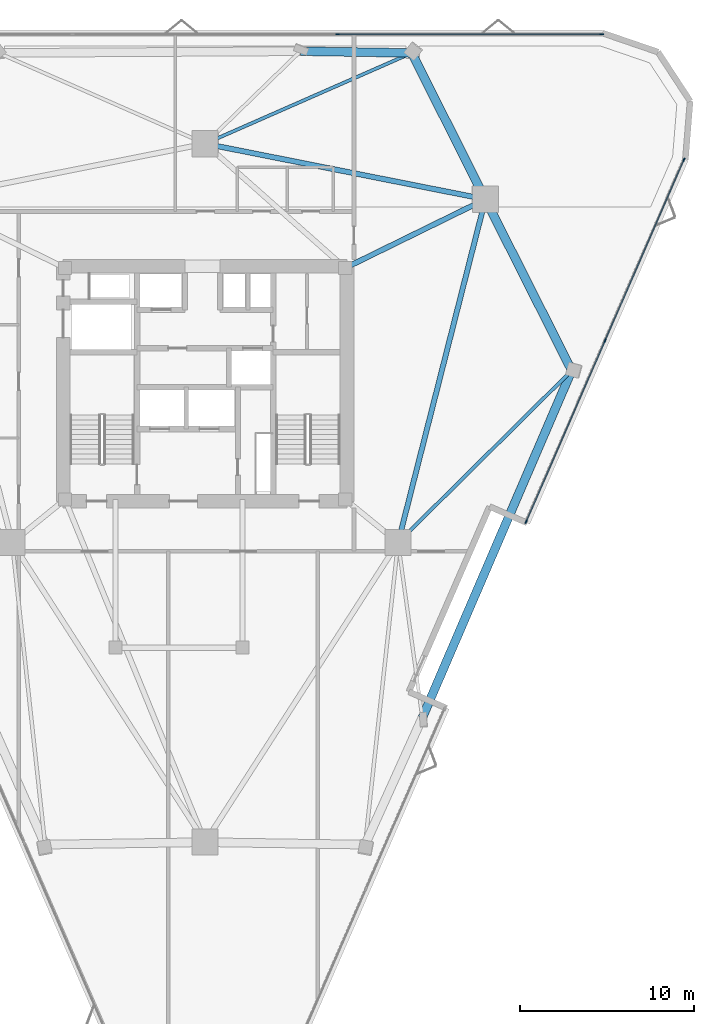
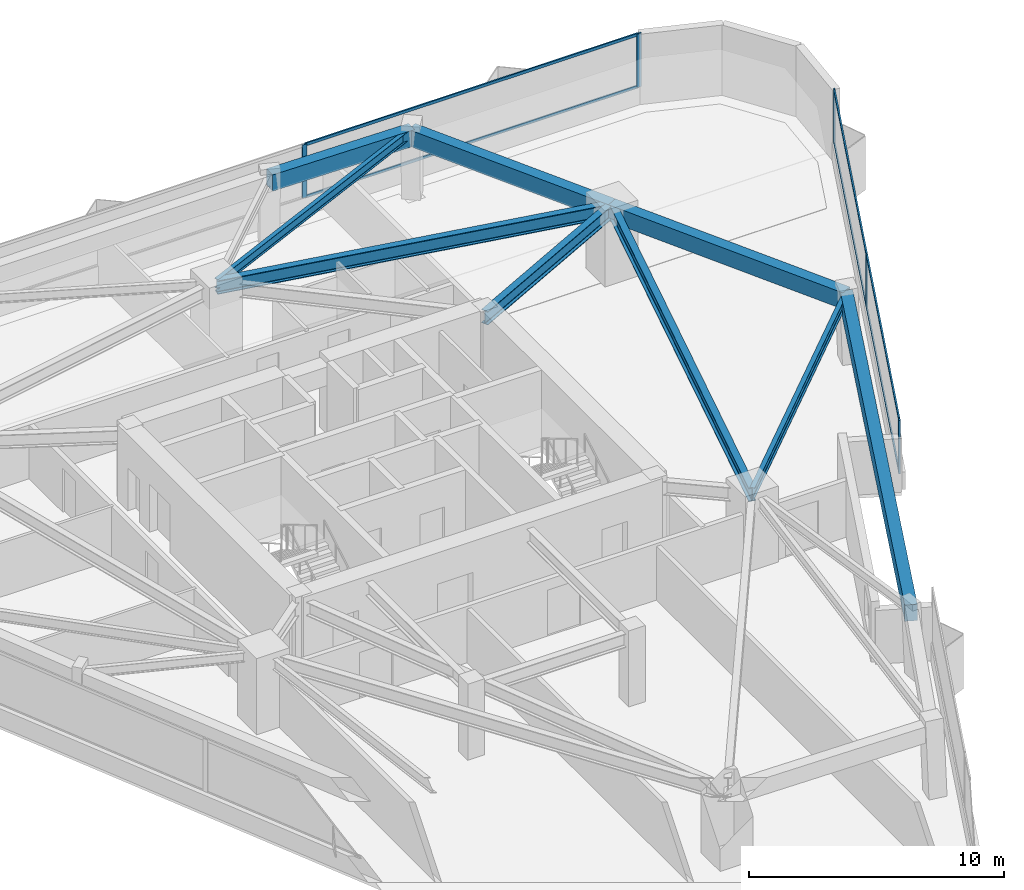
# One storey, part 6 of 12: 11 members, 9 beams, 2 elements without a shape of their own.
"""IFC4 building model written with IfcOpenShell, lengths in metres."""

from ifc_helpers import new_model, si_unit, direction, frame, origin, origin_2d, place, context, subcontext, project, spatial, rectangle, i_section, extrude, material, layer, layer_set, material_profile, profile_set, type_object, element, aggregate, save


model = new_model("IFC4")

# Units and contexts
model_context = context("Model", 3, precision=1e-05, world=origin(), true_north=direction((0.0, 1.0)))
body_context = subcontext(model_context, "Body", "Model", "MODEL_VIEW")
ifc_project = project(units=[si_unit("LENGTHUNIT", "METRE"), si_unit("AREAUNIT", "SQUARE_METRE"), si_unit("VOLUMEUNIT", "CUBIC_METRE"), si_unit("PLANEANGLEUNIT", "RADIAN"), si_unit("MASSUNIT", "GRAM", prefix="KILO")], contexts=[model_context])

# Site, building, storey
site_placement = place(None, origin())
site = spatial("IfcSite", under=ifc_project, at=site_placement, CompositionType="ELEMENT")
building_placement = place(site_placement, origin())
building = spatial("IfcBuilding", under=site, at=building_placement, Name="Talyreon Biosciences Tower", CompositionType="ELEMENT")
storey_placement = place(building_placement, frame((0.0, 0.0, 156.39990234375)))
storey = spatial("IfcBuildingStorey", under=building, at=storey_placement, Name="L41", CompositionType="ELEMENT", Elevation=156.39990234375)

# Curtain wall, members
ifc_material_1 = material(Name="Thermally broken aluminium and low-E glazing", Category="aluminium")
ifc_layer = layer(ifc_material_1, 0.205078125)
ifc_layer_set = layer_set([ifc_layer], Name="Thermally broken aluminium and low-E glazing")
curtain_wall_type = type_object("IfcCurtainWallType", Name="CurtainWall_SkyGardenLoggia", PredefinedType="NOTDEFINED", material=ifc_layer_set)
curtain_wall_1_placement = place(storey_placement, origin())
curtain_wall_1 = element("IfcCurtainWall", 1, at=curtain_wall_1_placement, inside=storey, type_object=curtain_wall_type, Name="L41 Unitised Curtain Wall FCW-L41-03", PredefinedType="NOTDEFINED")
ifc_material_2 = material(Name="Anodised thermally broken aluminium", Category="aluminium")
ifc_material_profile_1 = material_profile(ifc_material_2, rectangle(XDim=0.074951171875, YDim=0.2099609375, at=origin_2d()), Name="ALUM MULLION 75x210")
ifc_profile_set_1 = profile_set([ifc_material_profile_1], Name="Anodised thermally broken aluminium")
member_type_1 = type_object("IfcMemberType", Name="CWMullion_75x210", PredefinedType="MULLION", material=ifc_profile_set_1)
member_1_placement = place(storey_placement, frame((73.60888671875, 88.072509765625, 0.81005859375), z_axis=(0.0, 0.0, 1.0), x_axis=(0.0, 1.0, 0.0)))
member_1 = element("IfcMember", 2, at=member_1_placement, type_object=member_type_1, Name="CW7 mullion 3", PredefinedType="MULLION", context=body_context, shape_type="SweptSolid", body=[
    extrude(rectangle(XDim=0.074951171875, YDim=0.2099609375, at=origin_2d()), origin(), (0.0, 0.0, 1.0), 2.56494140625),
])
member_2_placement = place(storey_placement, frame((88.789306640625, 88.072509765625, 0.81005859375), z_axis=(0.0, 0.0, 1.0), x_axis=(0.0, 1.0, 0.0)))
member_2 = element("IfcMember", 3, at=member_2_placement, type_object=member_type_1, Name="CW7 mullion 4", PredefinedType="MULLION", context=body_context, shape_type="SweptSolid", body=[
    extrude(rectangle(XDim=0.074951171875, YDim=0.2099609375, at=origin_2d()), origin(), (0.0, 0.0, 1.0), 2.56494140625),
])

curtain_wall_2_placement = place(storey_placement, origin())
curtain_wall_2 = element("IfcCurtainWall", 4, at=curtain_wall_2_placement, inside=storey, type_object=curtain_wall_type, Name="L41 Unitised Curtain Wall FCW-L41-07", PredefinedType="NOTDEFINED")
member_3_placement = place(storey_placement, frame((93.505615234375, 80.872802734375, 0.81005859375), z_axis=(0.0, 0.0, 1.0), x_axis=(0.916731147688, -0.399504696917, 0.0)))
member_3 = element("IfcMember", 5, at=member_3_placement, type_object=member_type_1, Name="CW7 mullion 1", PredefinedType="MULLION", context=body_context, shape_type="SweptSolid", body=[
    extrude(rectangle(XDim=0.074951171875, YDim=0.2099609375, at=origin_2d()), origin(), (0.0, 0.0, 1.0), 2.56494140625),
])
member_4_placement = place(storey_placement, frame((88.972412109375, 70.470703125, 0.81005859375), z_axis=(0.0, 0.0, 1.0), x_axis=(0.916731147688, -0.399504696917, 0.0)))
member_4 = element("IfcMember", 6, at=member_4_placement, type_object=member_type_1, Name="CW7 mullion 2", PredefinedType="MULLION", context=body_context, shape_type="SweptSolid", body=[
    extrude(rectangle(XDim=0.074951171875, YDim=0.2099609375, at=origin_2d()), origin(), (0.0, 0.0, 1.0), 2.56494140625),
])
member_5_placement = place(storey_placement, frame((84.439208984375, 60.068359375, 0.81005859375), z_axis=(0.0, 0.0, 1.0), x_axis=(0.916731147688, -0.399504696917, 0.0)))
member_5 = element("IfcMember", 7, at=member_5_placement, type_object=member_type_1, Name="CW7 mullion 3", PredefinedType="MULLION", context=body_context, shape_type="SweptSolid", body=[
    extrude(rectangle(XDim=0.074951171875, YDim=0.2099609375, at=origin_2d()), origin(), (0.0, 0.0, 1.0), 2.56494140625),
])

# Member
ifc_material_profile_2 = material_profile(ifc_material_2, rectangle(XDim=0.06494140625, YDim=0.139892578125, at=origin_2d()), Name="ALUM TRANSOM 65x140")
ifc_profile_set_2 = profile_set([ifc_material_profile_2], Name="Anodised thermally broken aluminium")
member_type_2 = type_object("IfcMemberType", Name="CWTransom_65x140", PredefinedType="USERDEFINED", material=ifc_profile_set_2)
member_6_placement = place(storey_placement, frame((73.646484375, 88.072509765625, 0.842529296875), z_axis=(1.0, 0.0, 0.0), x_axis=(0.0, 1.0, 0.0)))
member_6 = element("IfcMember", 8, at=member_6_placement, type_object=member_type_2, Name="CW7 transom 3.1", ObjectType="TRANSOM", PredefinedType="USERDEFINED", context=body_context, shape_type="SweptSolid", body=[
    extrude(rectangle(XDim=0.06494140625, YDim=0.139892578125, at=origin_2d()), origin(), (0.0, 0.0, 1.0), 15.10546875),
])

member_7_placement = place(storey_placement, frame((73.646484375, 88.072509765625, 3.342529296875), z_axis=(1.0, 0.0, 0.0), x_axis=(0.0, 1.0, 0.0)))
member_7 = element("IfcMember", 9, at=member_7_placement, type_object=member_type_2, Name="CW7 transom 3.2", ObjectType="TRANSOM", PredefinedType="USERDEFINED", context=body_context, shape_type="SweptSolid", body=[
    extrude(rectangle(XDim=0.06494140625, YDim=0.139892578125, at=origin_2d()), origin(), (0.0, 0.0, 1.0), 15.10546875),
])

aggregate(curtain_wall_1, [member_1, member_2, member_6, member_7])

member_8_placement = place(storey_placement, frame((93.49072265625, 80.83837890625, 0.842529296875), z_axis=(-0.399498148949, -0.916734001216, 0.0), x_axis=(0.916734001216, -0.399498148949, 0.0)))
member_8 = element("IfcMember", 10, at=member_8_placement, type_object=member_type_2, Name="CW7 transom 1.1", ObjectType="TRANSOM", PredefinedType="USERDEFINED", context=body_context, shape_type="SweptSolid", body=[
    extrude(rectangle(XDim=0.06494140625, YDim=0.139892578125, at=origin_2d()), origin(), (0.0, 0.0, 1.0), 11.27197265625),
])

member_9_placement = place(storey_placement, frame((93.49072265625, 80.83837890625, 3.342529296875), z_axis=(-0.399498148949, -0.916734001216, 0.0), x_axis=(0.916734001216, -0.399498148949, 0.0)))
member_9 = element("IfcMember", 11, at=member_9_placement, type_object=member_type_2, Name="CW7 transom 1.2", ObjectType="TRANSOM", PredefinedType="USERDEFINED", context=body_context, shape_type="SweptSolid", body=[
    extrude(rectangle(XDim=0.06494140625, YDim=0.139892578125, at=origin_2d()), origin(), (0.0, 0.0, 1.0), 11.27197265625),
])

member_10_placement = place(storey_placement, frame((88.95751953125, 70.436279296875, 0.842529296875), z_axis=(-0.399498148949, -0.916734001216, 0.0), x_axis=(0.916734001216, -0.399498148949, 0.0)))
member_10 = element("IfcMember", 12, at=member_10_placement, type_object=member_type_2, Name="CW7 transom 2.1", ObjectType="TRANSOM", PredefinedType="USERDEFINED", context=body_context, shape_type="SweptSolid", body=[
    extrude(rectangle(XDim=0.06494140625, YDim=0.139892578125, at=origin_2d()), origin(), (0.0, 0.0, 1.0), 11.27197265625),
])

member_11_placement = place(storey_placement, frame((88.95751953125, 70.436279296875, 3.342529296875), z_axis=(-0.399498148949, -0.916734001216, 0.0), x_axis=(0.916734001216, -0.399498148949, 0.0)))
member_11 = element("IfcMember", 13, at=member_11_placement, type_object=member_type_2, Name="CW7 transom 2.2", ObjectType="TRANSOM", PredefinedType="USERDEFINED", context=body_context, shape_type="SweptSolid", body=[
    extrude(rectangle(XDim=0.06494140625, YDim=0.139892578125, at=origin_2d()), origin(), (0.0, 0.0, 1.0), 11.27197265625),
])

aggregate(curtain_wall_2, [member_3, member_4, member_5, member_8, member_9, member_10, member_11])

# Beams
ifc_material_3 = material(Name="Precast concrete C45/55", Category="concrete")
ifc_material_profile_3 = material_profile(ifc_material_3, rectangle(XDim=0.5, YDim=0.780029296875, at=origin_2d()), Name="RCB 500x780")
ifc_profile_set_3 = profile_set([ifc_material_profile_3], Name="Precast concrete C45/55")
beam_type_1 = type_object("IfcBeamType", Name="ExpressedSpandrel_500x780", PredefinedType="SPANDREL", material=ifc_profile_set_3)
beam_1_placement = place(storey_placement, frame((78.478759765625, 48.81884765625, 2.985107421875), z_axis=(0.395278640368, 0.918561264407, 0.0), x_axis=(-0.918561264407, 0.395278640368, 0.0)))
element("IfcBeam", 14, at=beam_1_placement, inside=storey, type_object=beam_type_1, Name="L41 Expressed Horizontal Concrete Spandrel 03", PredefinedType="SPANDREL", context=body_context, shape_type="SweptSolid", body=[
    extrude(rectangle(XDim=0.5, YDim=0.780029296875, at=origin_2d()), origin(), (0.0, 0.0, 1.0), 21.712646484375),
])
beam_2_placement = place(storey_placement, frame((87.061279296875, 68.76318359375, 2.985107421875), z_axis=(-0.450207742015, 0.892923842794, 0.0), x_axis=(-0.892923842794, -0.450207742015, 0.0)))
element("IfcBeam", 15, at=beam_2_placement, inside=storey, type_object=beam_type_1, Name="L41 Expressed Horizontal Concrete Spandrel 04", PredefinedType="SPANDREL", context=body_context, shape_type="SweptSolid", body=[
    extrude(rectangle(XDim=0.5, YDim=0.780029296875, at=origin_2d()), origin(), (0.0, 0.0, 1.0), 11.014892578125),
])
beam_3_placement = place(storey_placement, frame((82.102294921875, 78.5986328125, 2.985107421875), z_axis=(-0.449785654154, 0.893136532293, 0.0), x_axis=(-0.893136532293, -0.449785654154, 0.0)))
element("IfcBeam", 16, at=beam_3_placement, inside=storey, type_object=beam_type_1, Name="L41 Expressed Horizontal Concrete Spandrel 05", PredefinedType="SPANDREL", context=body_context, shape_type="SweptSolid", body=[
    extrude(rectangle(XDim=0.5, YDim=0.780029296875, at=origin_2d()), origin(), (0.0, 0.0, 1.0), 9.409423828125),
])
beam_4_placement = place(storey_placement, frame((77.8701171875, 87.00244140625, 2.985107421875), z_axis=(-0.999877392071, 0.015658889639, 0.0), x_axis=(-0.015658889639, -0.999877392071, 0.0)))
element("IfcBeam", 17, at=beam_4_placement, inside=storey, type_object=beam_type_1, Name="L41 Expressed Horizontal Concrete Spandrel 06", PredefinedType="SPANDREL", context=body_context, shape_type="SweptSolid", body=[
    extrude(rectangle(XDim=0.5, YDim=0.780029296875, at=origin_2d()), origin(), (0.0, 0.0, 1.0), 6.392333984375),
])
ifc_material_4 = material(Name="Steel SM355", Category="steel")
ifc_material_profile_4 = material_profile(ifc_material_4, i_section(OverallWidth=0.300048828125, OverallDepth=0.64990234375, WebThickness=0.01611328125, FlangeThickness=0.031005859375, FilletRadius=0.027099609375, at=origin_2d()), Name="HE650B")
ifc_profile_set_4 = profile_set([ifc_material_profile_4], Name="Steel SM355")
beam_type_2 = type_object("IfcBeamType", Name="SteelBeam_HE650B", PredefinedType="BEAM", material=ifc_profile_set_4)
beam_5_placement = place(storey_placement, frame((77.086181640625, 58.88037109375, 3.050048828125), z_axis=(0.246537082299, 0.969133358755, 0.0), x_axis=(-0.969133358755, 0.246537082299, 0.0)))
element("IfcBeam", 18, at=beam_5_placement, inside=storey, type_object=beam_type_2, Name="L41 Mega-Ring Girder 2", PredefinedType="BEAM", context=body_context, shape_type="SweptSolid", body=[
    extrude(i_section(OverallWidth=0.300048828125, OverallDepth=0.64990234375, WebThickness=0.01611328125, FlangeThickness=0.031005859375, FilletRadius=0.027099609375, at=origin_2d()), origin(), (0.0, 0.0, 1.0), 20.34619140625),
])
beam_6_placement = place(storey_placement, frame((82.102294921875, 78.5986328125, 3.050048828125), z_axis=(-0.980933730698, 0.194342522311, 0.0), x_axis=(-0.194342522311, -0.980933730698, 0.0)))
element("IfcBeam", 19, at=beam_6_placement, inside=storey, type_object=beam_type_2, Name="L41 Mega-Ring Girder 3", PredefinedType="BEAM", context=body_context, shape_type="SweptSolid", body=[
    extrude(i_section(OverallWidth=0.300048828125, OverallDepth=0.64990234375, WebThickness=0.01611328125, FlangeThickness=0.031005859375, FilletRadius=0.027099609375, at=origin_2d()), origin(), (0.0, 0.0, 1.0), 16.415283203125),
])
beam_7_placement = place(storey_placement, frame((74.050048828125, 74.64990234375, 3.050048828125), z_axis=(0.897852360314, 0.440296648952, 0.0), x_axis=(-0.440296648952, 0.897852360314, 0.0)))
element("IfcBeam", 20, at=beam_7_placement, inside=storey, type_object=beam_type_2, Name="L41 Radial Primary Girder 3", PredefinedType="BEAM", context=body_context, shape_type="SweptSolid", body=[
    extrude(i_section(OverallWidth=0.300048828125, OverallDepth=0.64990234375, WebThickness=0.01611328125, FlangeThickness=0.031005859375, FilletRadius=0.027099609375, at=origin_2d()), origin(), (0.0, 0.0, 1.0), 8.96826171875),
])
ifc_material_profile_5 = material_profile(ifc_material_4, i_section(OverallWidth=0.18994140625, OverallDepth=0.449951171875, WebThickness=0.009521484375, FlangeThickness=0.0146484375, FilletRadius=0.02099609375, at=origin_2d()), Name="IPE450")
ifc_profile_set_5 = profile_set([ifc_material_profile_5], Name="Steel SM355")
beam_type_3 = type_object("IfcBeamType", Name="SteelJoist_IPE450", PredefinedType="JOIST", material=ifc_profile_set_5)
beam_8_placement = place(storey_placement, frame((66.0, 81.788818359375, 3.150146484375), z_axis=(0.915577239273, 0.402142162581, 0.0), x_axis=(-0.402142162581, 0.915577239273, 0.0)))
element("IfcBeam", 21, at=beam_8_placement, inside=storey, type_object=beam_type_3, Name="L41 Radial Composite Floor Joist PC-N1", PredefinedType="JOIST", context=body_context, shape_type="SweptSolid", body=[
    extrude(i_section(OverallWidth=0.18994140625, OverallDepth=0.449951171875, WebThickness=0.009521484375, FlangeThickness=0.0146484375, FilletRadius=0.02099609375, at=origin_2d()), origin(), (0.0, 0.0, 1.0), 12.964599609375),
])
ifc_material_profile_6 = material_profile(ifc_material_4, i_section(OverallWidth=0.199951171875, OverallDepth=0.5, WebThickness=0.01025390625, FlangeThickness=0.01611328125, FilletRadius=0.02099609375, at=origin_2d()), Name="IPE500")
ifc_profile_set_6 = profile_set([ifc_material_profile_6], Name="Steel SM355")
beam_type_4 = type_object("IfcBeamType", Name="SteelJoist_IPE500", PredefinedType="JOIST", material=ifc_profile_set_6)
beam_9_placement = place(storey_placement, frame((77.086181640625, 58.88037109375, 3.125), z_axis=(0.710385229274, 0.703813061849, 0.0), x_axis=(-0.703813061849, 0.710385229274, 0.0)))
element("IfcBeam", 22, at=beam_9_placement, inside=storey, type_object=beam_type_4, Name="L41 Radial Composite Floor Joist PC-SE2", PredefinedType="JOIST", context=body_context, shape_type="SweptSolid", body=[
    extrude(i_section(OverallWidth=0.199951171875, OverallDepth=0.5, WebThickness=0.01025390625, FlangeThickness=0.01611328125, FilletRadius=0.02099609375, at=origin_2d()), origin(), (0.0, 0.0, 1.0), 14.041748046875),
])

save(model, "model.ifc")
